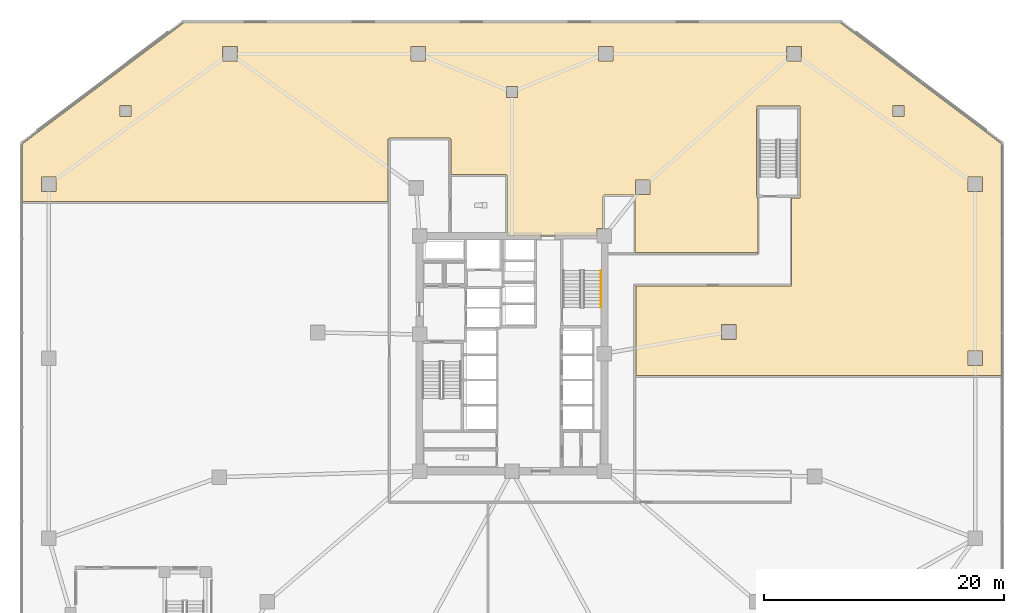
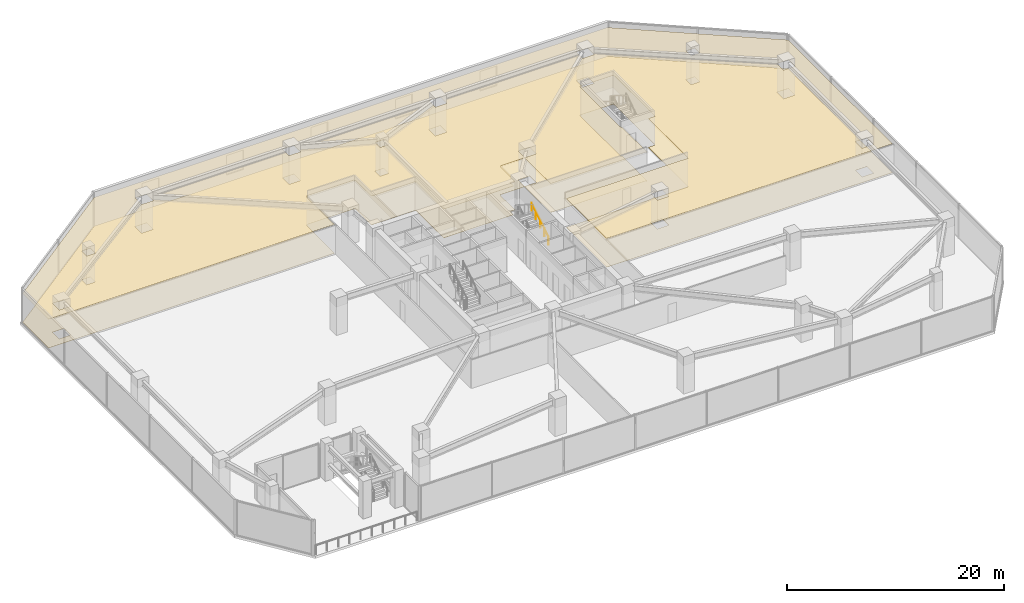
# One storey, part 19 of 21: 2 coverings, 1 railing.
"""IFC4 building model written with IfcOpenShell, lengths in metres."""

from ifc_helpers import new_model, si_unit, direction, frame, origin, origin_2d, place, context, subcontext, project, spatial, polyline, circle, outline, extrude, material, layer, layer_set, type_object, element, save


model = new_model("IFC4")

# Units and contexts
model_context = context("Model", 3, precision=1e-05, world=origin(), true_north=direction((0.0, 1.0)))
body_context = subcontext(model_context, "Body", "Model", "MODEL_VIEW")
ifc_project = project(units=[si_unit("LENGTHUNIT", "METRE"), si_unit("AREAUNIT", "SQUARE_METRE"), si_unit("VOLUMEUNIT", "CUBIC_METRE"), si_unit("PLANEANGLEUNIT", "RADIAN"), si_unit("MASSUNIT", "GRAM", prefix="KILO")], contexts=[model_context])

# Site, building, storey
site_placement = place(None, origin())
site = spatial("IfcSite", under=ifc_project, at=site_placement, CompositionType="ELEMENT")
building_placement = place(site_placement, origin())
building = spatial("IfcBuilding", under=site, at=building_placement, Name="Savorim Split Tower", CompositionType="ELEMENT")
storey_placement = place(building_placement, frame((0.0, 0.0, 5.0)))
storey = spatial("IfcBuildingStorey", under=building, at=storey_placement, Name="L01", CompositionType="ELEMENT", Elevation=5.0)

# Coverings
ifc_material_1 = material(Name="Mineral Fibre Acoustic Ceiling")
ifc_layer_1 = layer(ifc_material_1, 0.02490234375)
ifc_layer_set_1 = layer_set([ifc_layer_1], Name="COV-CEIL-25")
covering_type_1 = type_object("IfcCoveringType", Name="COV-CEIL-25", PredefinedType="CEILING", material=ifc_layer_set_1)
covering_1_placement = place(storey_placement, frame((0.0, 0.0, 3.239990234375)))
element("IfcCovering", 1, at=covering_1_placement, inside=storey, type_object=covering_type_1, Name="L01 Study Reading Hall Acoustic Ceiling", PredefinedType="CEILING", context=body_context, shape_type="SweptSolid", body=[
    extrude(outline(polyline([(27.32666015625, 27.97998046875), (-27.32666015625, 27.97998046875), (-40.780029296875, 17.889892578125), (-40.780029296875, 13.094970703125), (-10.31494140625, 13.094970703125), (-10.31494140625, 18.280029296875), (-10.219970703125, 18.280029296875), (-10.219970703125, 18.375), (-5.179931640625, 18.375), (-5.179931640625, 18.280029296875), (-5.0849609375, 18.280029296875), (-5.0849609375, 15.344970703125), (-0.449951171875, 15.344970703125), (-0.449951171875, 15.25), (-0.35498046875, 15.25), (-0.35498046875, 10.199951171875), (7.090087890625, 10.199951171875), (7.090087890625, 10.81005859375), (7.60009765625, 10.81005859375), (7.60009765625, 13.5), (7.6005859375, 13.509765625), (7.601806640625, 13.51953125), (7.604248046875, 13.529052734375), (7.607666015625, 13.538330078125), (7.61181640625, 13.547119140625), (7.616943359375, 13.5556640625), (7.622802734375, 13.5634765625), (7.62939453125, 13.57080078125), (7.63671875, 13.577392578125), (7.644287109375, 13.5830078125), (7.65283203125, 13.588134765625), (7.66162109375, 13.59228515625), (7.6708984375, 13.595703125), (7.680419921875, 13.59814453125), (7.690185546875, 13.599609375), (7.699951171875, 13.60009765625), (10.14990234375, 13.60009765625), (10.159912109375, 13.599609375), (10.16943359375, 13.59814453125), (10.178955078125, 13.595703125), (10.188232421875, 13.59228515625), (10.197021484375, 13.588134765625), (10.20556640625, 13.5830078125), (10.21337890625, 13.577392578125), (10.220703125, 13.57080078125), (10.227294921875, 13.5634765625), (10.233154296875, 13.5556640625), (10.23828125, 13.547119140625), (10.242431640625, 13.538330078125), (10.24560546875, 13.529052734375), (10.248046875, 13.51953125), (10.24951171875, 13.509765625), (10.25, 13.5), (10.25, 8.81494140625), (20.39990234375, 8.81494140625), (20.39990234375, 8.75), (20.5, 8.75), (20.5, 13.3798828125), (20.39990234375, 13.3798828125), (20.39990234375, 13.39990234375), (20.39990234375, 13.60009765625), (20.3798828125, 13.60009765625), (20.3798828125, 20.800048828125), (20.39990234375, 20.800048828125), (20.39990234375, 21.0), (20.39990234375, 21.02001953125), (24.0, 21.02001953125), (24.0, 21.0), (24.0, 20.800048828125), (24.02001953125, 20.800048828125), (24.02001953125, 13.60009765625), (24.0, 13.60009765625), (24.0, 13.39990234375), (24.0, 13.3798828125), (23.300048828125, 13.3798828125), (23.300048828125, 6.199951171875), (23.299560546875, 6.190185546875), (23.298095703125, 6.180419921875), (23.295654296875, 6.1708984375), (23.29248046875, 6.16162109375), (23.2880859375, 6.15283203125), (23.283203125, 6.144287109375), (23.280029296875, 6.14013671875), (23.280029296875, 6.02490234375), (10.31494140625, 6.02490234375), (10.31494140625, -1.405029296875), (40.780029296875, -1.405029296875), (40.780029296875, 17.889892578125), (27.32666015625, 27.97998046875)]), holes=[polyline([(37.989990234375, 0.610107421875), (37.989990234375, -0.610107421875), (39.2099609375, -0.610107421875), (39.2099609375, 0.610107421875), (37.989990234375, 0.610107421875)]), polyline([(37.989990234375, 13.889892578125), (39.2099609375, 13.889892578125), (39.2099609375, 15.110107421875), (37.989990234375, 15.110107421875), (37.989990234375, 13.889892578125)]), polyline([(22.889892578125, 24.7900390625), (24.110107421875, 24.7900390625), (24.110107421875, 26.010009765625), (22.889892578125, 26.010009765625), (22.889892578125, 24.7900390625)]), polyline([(7.18994140625, 24.7900390625), (8.409912109375, 24.7900390625), (8.409912109375, 26.010009765625), (7.18994140625, 26.010009765625), (7.18994140625, 24.7900390625)]), polyline([(-7.18994140625, 24.7900390625), (-7.18994140625, 26.010009765625), (-8.409912109375, 26.010009765625), (-8.409912109375, 24.7900390625), (-7.18994140625, 24.7900390625)]), polyline([(-22.889892578125, 26.010009765625), (-24.110107421875, 26.010009765625), (-24.110107421875, 24.7900390625), (-22.889892578125, 24.7900390625), (-22.889892578125, 26.010009765625)]), polyline([(-37.989990234375, 15.110107421875), (-39.2099609375, 15.110107421875), (-39.2099609375, 13.889892578125), (-37.989990234375, 13.889892578125), (-37.989990234375, 15.110107421875)]), polyline([(18.659423828125, 2.8125), (17.439453125, 2.8125), (17.439453125, 1.592529296875), (18.659423828125, 1.592529296875), (18.659423828125, 2.8125)]), polyline([(10.275390625, 14.860595703125), (10.275390625, 13.640380859375), (11.49560546875, 13.640380859375), (11.49560546875, 14.860595703125), (10.275390625, 14.860595703125)]), polyline([(31.739990234375, 20.139892578125), (32.659912109375, 20.139892578125), (32.659912109375, 21.06005859375), (31.739990234375, 21.06005859375), (31.739990234375, 20.139892578125)]), polyline([(-31.739990234375, 20.139892578125), (-31.739990234375, 21.06005859375), (-32.659912109375, 21.06005859375), (-32.659912109375, 20.139892578125), (-31.739990234375, 20.139892578125)]), polyline([(-0.4599609375, 22.659912109375), (-0.4599609375, 21.739990234375), (0.4599609375, 21.739990234375), (0.4599609375, 22.659912109375), (-0.4599609375, 22.659912109375)])]), origin(), (0.0, 0.0, 1.0), 0.02490234375),
])
ifc_material_2 = material(Name="Porcelain Stoneware Flooring", Category="masonry")
ifc_layer_2 = layer(ifc_material_2, 0.02001953125)
ifc_layer_set_2 = layer_set([ifc_layer_2], Name="COV-FLOR-20")
covering_type_2 = type_object("IfcCoveringType", Name="COV-FLOR-20", PredefinedType="FLOORING", material=ifc_layer_set_2)
covering_2_placement = place(storey_placement, origin())
element("IfcCovering", 2, at=covering_2_placement, inside=storey, type_object=covering_type_2, Name="L01 Study Reading Hall Porcelain Flooring", PredefinedType="FLOORING", context=body_context, shape_type="SweptSolid", body=[
    extrude(outline(polyline([(27.32666015625, 27.97998046875), (-27.32666015625, 27.97998046875), (-40.780029296875, 17.889892578125), (-40.780029296875, 13.094970703125), (-10.31494140625, 13.094970703125), (-10.31494140625, 18.280029296875), (-10.219970703125, 18.280029296875), (-10.219970703125, 18.375), (-5.179931640625, 18.375), (-5.179931640625, 18.280029296875), (-5.0849609375, 18.280029296875), (-5.0849609375, 15.344970703125), (-0.449951171875, 15.344970703125), (-0.449951171875, 15.25), (-0.35498046875, 15.25), (-0.35498046875, 10.199951171875), (7.090087890625, 10.199951171875), (7.090087890625, 10.81005859375), (7.60009765625, 10.81005859375), (7.60009765625, 13.5), (7.6005859375, 13.509765625), (7.601806640625, 13.51953125), (7.604248046875, 13.529052734375), (7.607666015625, 13.538330078125), (7.61181640625, 13.547119140625), (7.616943359375, 13.5556640625), (7.622802734375, 13.5634765625), (7.62939453125, 13.57080078125), (7.63671875, 13.577392578125), (7.644287109375, 13.5830078125), (7.65283203125, 13.588134765625), (7.66162109375, 13.59228515625), (7.6708984375, 13.595703125), (7.680419921875, 13.59814453125), (7.690185546875, 13.599609375), (7.699951171875, 13.60009765625), (10.14990234375, 13.60009765625), (10.159912109375, 13.599609375), (10.16943359375, 13.59814453125), (10.178955078125, 13.595703125), (10.188232421875, 13.59228515625), (10.197021484375, 13.588134765625), (10.20556640625, 13.5830078125), (10.21337890625, 13.577392578125), (10.220703125, 13.57080078125), (10.227294921875, 13.5634765625), (10.233154296875, 13.5556640625), (10.23828125, 13.547119140625), (10.242431640625, 13.538330078125), (10.24560546875, 13.529052734375), (10.248046875, 13.51953125), (10.24951171875, 13.509765625), (10.25, 13.5), (10.25, 8.81494140625), (20.39990234375, 8.81494140625), (20.39990234375, 8.75), (20.5, 8.75), (20.5, 13.3798828125), (20.39990234375, 13.3798828125), (20.39990234375, 13.39990234375), (20.39990234375, 13.60009765625), (20.3798828125, 13.60009765625), (20.3798828125, 20.800048828125), (20.39990234375, 20.800048828125), (20.39990234375, 21.0), (20.39990234375, 21.02001953125), (24.0, 21.02001953125), (24.0, 21.0), (24.0, 20.800048828125), (24.02001953125, 20.800048828125), (24.02001953125, 13.60009765625), (24.0, 13.60009765625), (24.0, 13.39990234375), (24.0, 13.3798828125), (23.300048828125, 13.3798828125), (23.300048828125, 6.199951171875), (23.299560546875, 6.190185546875), (23.298095703125, 6.180419921875), (23.295654296875, 6.1708984375), (23.29248046875, 6.16162109375), (23.2880859375, 6.15283203125), (23.283203125, 6.144287109375), (23.280029296875, 6.14013671875), (23.280029296875, 6.02490234375), (10.31494140625, 6.02490234375), (10.31494140625, -1.405029296875), (40.780029296875, -1.405029296875), (40.780029296875, 17.889892578125), (27.32666015625, 27.97998046875)]), holes=[polyline([(37.989990234375, 0.610107421875), (37.989990234375, -0.610107421875), (39.2099609375, -0.610107421875), (39.2099609375, 0.610107421875), (37.989990234375, 0.610107421875)]), polyline([(37.989990234375, 13.889892578125), (39.2099609375, 13.889892578125), (39.2099609375, 15.110107421875), (37.989990234375, 15.110107421875), (37.989990234375, 13.889892578125)]), polyline([(22.889892578125, 24.7900390625), (24.110107421875, 24.7900390625), (24.110107421875, 26.010009765625), (22.889892578125, 26.010009765625), (22.889892578125, 24.7900390625)]), polyline([(7.18994140625, 24.7900390625), (8.409912109375, 24.7900390625), (8.409912109375, 26.010009765625), (7.18994140625, 26.010009765625), (7.18994140625, 24.7900390625)]), polyline([(-7.18994140625, 24.7900390625), (-7.18994140625, 26.010009765625), (-8.409912109375, 26.010009765625), (-8.409912109375, 24.7900390625), (-7.18994140625, 24.7900390625)]), polyline([(-22.889892578125, 26.010009765625), (-24.110107421875, 26.010009765625), (-24.110107421875, 24.7900390625), (-22.889892578125, 24.7900390625), (-22.889892578125, 26.010009765625)]), polyline([(-37.989990234375, 15.110107421875), (-39.2099609375, 15.110107421875), (-39.2099609375, 13.889892578125), (-37.989990234375, 13.889892578125), (-37.989990234375, 15.110107421875)]), polyline([(18.659423828125, 2.8125), (17.439453125, 2.8125), (17.439453125, 1.592529296875), (18.659423828125, 1.592529296875), (18.659423828125, 2.8125)]), polyline([(10.275390625, 14.860595703125), (10.275390625, 13.640380859375), (11.49560546875, 13.640380859375), (11.49560546875, 14.860595703125), (10.275390625, 14.860595703125)]), polyline([(31.739990234375, 20.139892578125), (32.659912109375, 20.139892578125), (32.659912109375, 21.06005859375), (31.739990234375, 21.06005859375), (31.739990234375, 20.139892578125)]), polyline([(-31.739990234375, 20.139892578125), (-31.739990234375, 21.06005859375), (-32.659912109375, 21.06005859375), (-32.659912109375, 20.139892578125), (-31.739990234375, 20.139892578125)]), polyline([(-0.4599609375, 22.659912109375), (-0.4599609375, 21.739990234375), (0.4599609375, 21.739990234375), (0.4599609375, 22.659912109375), (-0.4599609375, 22.659912109375)])]), origin(), (0.0, 0.0, 1.0), 0.02001953125),
])

# Railing
ifc_material_3 = material(Name="Galvanised Painted Steel Balustrade", Category="steel")
railing_type = type_object("IfcRailingType", Name="RLG-HR-900", PredefinedType="HANDRAIL", material=ifc_material_3)
railing_placement = place(storey_placement, frame((7.39990234375, 4.25, 0.175048828125)))
element("IfcRailing", 3, at=railing_placement, inside=storey, type_object=railing_type, Name="L01 ST-2 stair handrail 1", PredefinedType="HANDRAIL", context=body_context, shape_type="SweptSolid", body=[
    extrude(circle(Radius=0.02392578125, at=origin_2d()), frame((0.0, 0.0, 0.8759765625), z_axis=(0.0, 0.847998304005, 0.529998940003), x_axis=(-1.0, 0.0, 0.0)), (0.0, 0.0, 1.0), 3.632080078125),
    extrude(circle(Radius=0.02099609375, at=origin_2d()), origin(), (0.0, 0.0, 1.0), 0.851806640625),
    extrude(circle(Radius=0.02099609375, at=origin_2d()), frame((0.0, 0.77001953125, 0.481201171875)), (0.0, 0.0, 1.0), 0.851806640625),
    extrude(circle(Radius=0.02099609375, at=origin_2d()), frame((0.0, 1.5400390625, 0.96240234375)), (0.0, 0.0, 1.0), 0.851806640625),
    extrude(circle(Radius=0.02099609375, at=origin_2d()), frame((0.0, 2.31005859375, 1.44384765625)), (0.0, 0.0, 1.0), 0.851806640625),
    extrude(circle(Radius=0.02099609375, at=origin_2d()), frame((0.0, 3.080078125, 1.925048828125)), (0.0, 0.0, 1.0), 0.851806640625),
])

save(model, "model.ifc")
